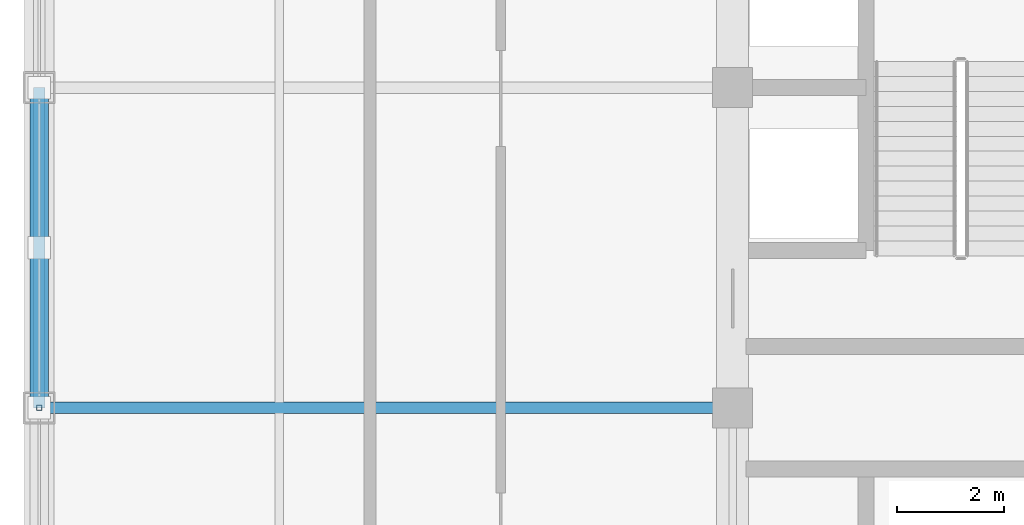
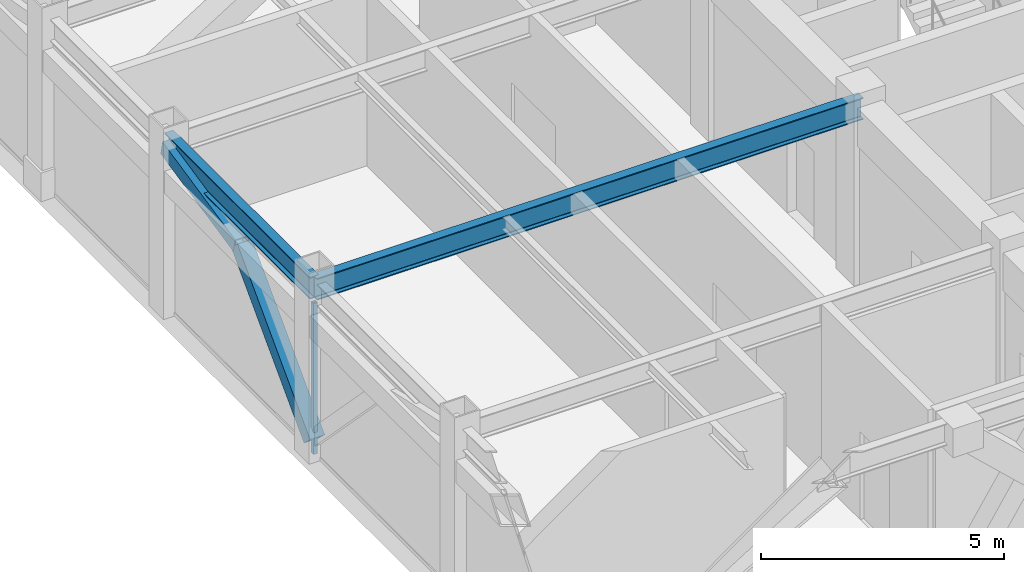
# One storey, part 6 of 32: 3 members, 2 beams, 1 element without a shape of its own.
"""IFC4 building model written with IfcOpenShell, lengths in metres."""

from ifc_helpers import new_model, si_unit, direction, frame, origin, origin_2d, place, context, subcontext, project, spatial, hollow_rectangle, i_section, extrude, source, transform, mapped, material, material_profile, profile_set, type_object, element, aggregate, save


model = new_model("IFC4")

# Units and contexts
model_context = context("Model", 3, precision=1e-05, world=origin(), true_north=direction((0.0, 1.0)))
body_context = subcontext(model_context, "Body", "Model", "MODEL_VIEW")
ifc_project = project(units=[si_unit("LENGTHUNIT", "METRE"), si_unit("AREAUNIT", "SQUARE_METRE"), si_unit("VOLUMEUNIT", "CUBIC_METRE"), si_unit("PLANEANGLEUNIT", "RADIAN"), si_unit("MASSUNIT", "GRAM", prefix="KILO")], contexts=[model_context])

# Site, building, storey
site_placement = place(None, origin())
site = spatial("IfcSite", under=ifc_project, at=site_placement, CompositionType="ELEMENT")
building_placement = place(site_placement, origin())
building = spatial("IfcBuilding", under=site, at=building_placement, Name="Khorayat Bourse Tower", CompositionType="ELEMENT")
storey_placement = place(building_placement, frame((0.0, 0.0, 375.5)))
storey = spatial("IfcBuildingStorey", under=building, at=storey_placement, Name="L89", CompositionType="ELEMENT", Elevation=375.5)

# Beams
ifc_material_1 = material(Name="Steel ASTM A992 Grade 50", Category="steel")
ifc_material_profile_1 = material_profile(ifc_material_1, i_section(OverallWidth=0.214111328125, OverallDepth=0.549072265625, WebThickness=0.0146484375, FlangeThickness=0.023681640625, FilletRadius=0.013916015625, at=origin_2d()), Name="W530X138")
ifc_profile_set_1 = profile_set([ifc_material_profile_1], Name="Steel ASTM A992 Grade 50")
beam_type_1 = type_object("IfcBeamType", Name="BM-SPAN-530", PredefinedType="SPANDREL", material=ifc_profile_set_1)
shared_shape_1 = source(origin(), body_context, "Body", "SweptSolid", [
    extrude(i_section(OverallWidth=0.214111328125, OverallDepth=0.549072265625, WebThickness=0.0146484375, FlangeThickness=0.023681640625, FilletRadius=0.013916015625, at=origin_2d()), origin(), (0.0, 0.0, 1.0), 6.0),
])
beam_1_placement = place(storey_placement, frame((-24.0, 0.0, 4.175537109375), z_axis=(0.0, 1.0, 0.0), x_axis=(-1.0, 0.0, 0.0)))
element("IfcBeam", 1, at=beam_1_placement, inside=storey, type_object=beam_type_1, Name="L89 BM-SPAN-530 BM-L89-SPN-050", PredefinedType="SPANDREL", context=body_context, shape_type="MappedRepresentation", body=[
    mapped(shared_shape_1, transform((0.0, 0.0, 0.0), scale=1.0)),
])
ifc_material_profile_2 = material_profile(ifc_material_1, i_section(OverallWidth=0.214111328125, OverallDepth=0.549072265625, WebThickness=0.0146484375, FlangeThickness=0.023681640625, FilletRadius=0.013916015625, at=origin_2d()), Name="W530X138")
ifc_profile_set_2 = profile_set([ifc_material_profile_2], Name="Steel ASTM A992 Grade 50")
beam_type_2 = type_object("IfcBeamType", Name="BM-GIRD-530", PredefinedType="BEAM", material=ifc_profile_set_2)
shared_shape_2 = source(origin(), body_context, "Body", "SweptSolid", [
    extrude(i_section(OverallWidth=0.214111328125, OverallDepth=0.549072265625, WebThickness=0.0146484375, FlangeThickness=0.023681640625, FilletRadius=0.013916015625, at=origin_2d()), origin(), (0.0, 0.0, 1.0), 13.0),
])
beam_2_placement = place(storey_placement, frame((-24.0, 0.0, 4.175537109375), z_axis=(1.0, 0.0, 0.0), x_axis=(0.0, 1.0, 0.0)))
element("IfcBeam", 2, at=beam_2_placement, inside=storey, type_object=beam_type_2, Name="L89 BM-GIRD-530 BM-L89-RADX-071", PredefinedType="BEAM", context=body_context, shape_type="MappedRepresentation", body=[
    mapped(shared_shape_2, transform((0.0, 0.0, 0.0), scale=1.0)),
])

# Members
ifc_material_2 = material(Name="Steel EN 10025-2 S355J2", Category="steel")
ifc_material_profile_3 = material_profile(ifc_material_2, hollow_rectangle(XDim=0.35009765625, YDim=0.35009765625, WallThickness=0.02001953125, at=origin_2d()), Name="HSS 350x350x20")
ifc_profile_set_3 = profile_set([ifc_material_profile_3], Name="Steel EN 10025-2 S355J2")
member_type_1 = type_object("IfcMemberType", Name="MBR-CROWN-350", PredefinedType="USERDEFINED", material=ifc_profile_set_3)
shared_shape_3 = source(origin(), body_context, "Body", "SweptSolid", [
    extrude(hollow_rectangle(XDim=0.35009765625, YDim=0.35009765625, WallThickness=0.02001953125, at=origin_2d()), origin(), (0.0, 0.0, 1.0), 3.069580078125),
])
member_1_placement = place(storey_placement, frame((-24.0, 3.0, 3.449951171875), z_axis=(0.0, 0.977313263163, 0.211798927393), x_axis=(-1.0, 0.0, 0.0)))
element("IfcMember", 3, at=member_1_placement, inside=storey, type_object=member_type_1, Name="L89 Lantern Crown Frame Member 18", ObjectType="CROWN FRAME", PredefinedType="USERDEFINED", context=body_context, shape_type="MappedRepresentation", body=[
    mapped(shared_shape_3, transform((0.0, 0.0, 0.0), scale=1.0)),
])
shared_shape_4 = source(origin(), body_context, "Body", "SweptSolid", [
    extrude(hollow_rectangle(XDim=0.35009765625, YDim=0.35009765625, WallThickness=0.02001953125, at=origin_2d()), origin(), (0.0, 0.0, 1.0), 4.313720703125),
])
member_2_placement = place(storey_placement, frame((-24.0, 0.0, 0.35009765625), z_axis=(0.0, 0.695438396675, 0.718585719612), x_axis=(-1.0, 0.0, 0.0)))
element("IfcMember", 4, at=member_2_placement, inside=storey, type_object=member_type_1, Name="L89 Lantern Crown Frame Member 17", ObjectType="CROWN FRAME", PredefinedType="USERDEFINED", context=body_context, shape_type="MappedRepresentation", body=[
    mapped(shared_shape_4, transform((0.0, 0.0, 0.0), scale=1.0)),
])

# Curtain wall, member
ifc_material_3 = material(Name="Aluminium EN AW-6063 T6", Category="aluminium")
curtain_wall_type = type_object("IfcCurtainWallType", Name="CW-SYS-07", PredefinedType="NOTDEFINED", material=ifc_material_3)
curtain_wall_placement = place(storey_placement, origin())
curtain_wall = element("IfcCurtainWall", 5, at=curtain_wall_placement, inside=storey, type_object=curtain_wall_type, Name="L89 Curtain Wall CW-L89-W1", PredefinedType="NOTDEFINED")
ifc_material_profile_4 = material_profile(ifc_material_3, hollow_rectangle(XDim=0.10009765625, YDim=0.10009765625, WallThickness=0.0048828125, at=origin_2d()), Name="ALU 100x100x5")
ifc_profile_set_4 = profile_set([ifc_material_profile_4], Name="Aluminium EN AW-6063 T6")
member_type_2 = type_object("IfcMemberType", Name="CWM-LANTERN-100", PredefinedType="MULLION", material=ifc_profile_set_4)
shared_shape_5 = source(origin(), body_context, "Body", "SweptSolid", [
    extrude(hollow_rectangle(XDim=0.10009765625, YDim=0.10009765625, WallThickness=0.0048828125, at=origin_2d()), origin(), (0.0, 0.0, 1.0), 3.800048828125),
])
member_3_placement = place(storey_placement, frame((-24.0, 0.0, 0.0), z_axis=(0.0, 0.0, 1.0), x_axis=(-1.0, 0.0, 0.0)))
member_3 = element("IfcMember", 6, at=member_3_placement, type_object=member_type_2, Name="CW-L89-W1 Vertical Mullion 2", PredefinedType="MULLION", context=body_context, shape_type="MappedRepresentation", body=[
    mapped(shared_shape_5, transform((0.0, 0.0, 0.0), scale=1.0)),
])
aggregate(curtain_wall, [member_3])

save(model, "model.ifc")
